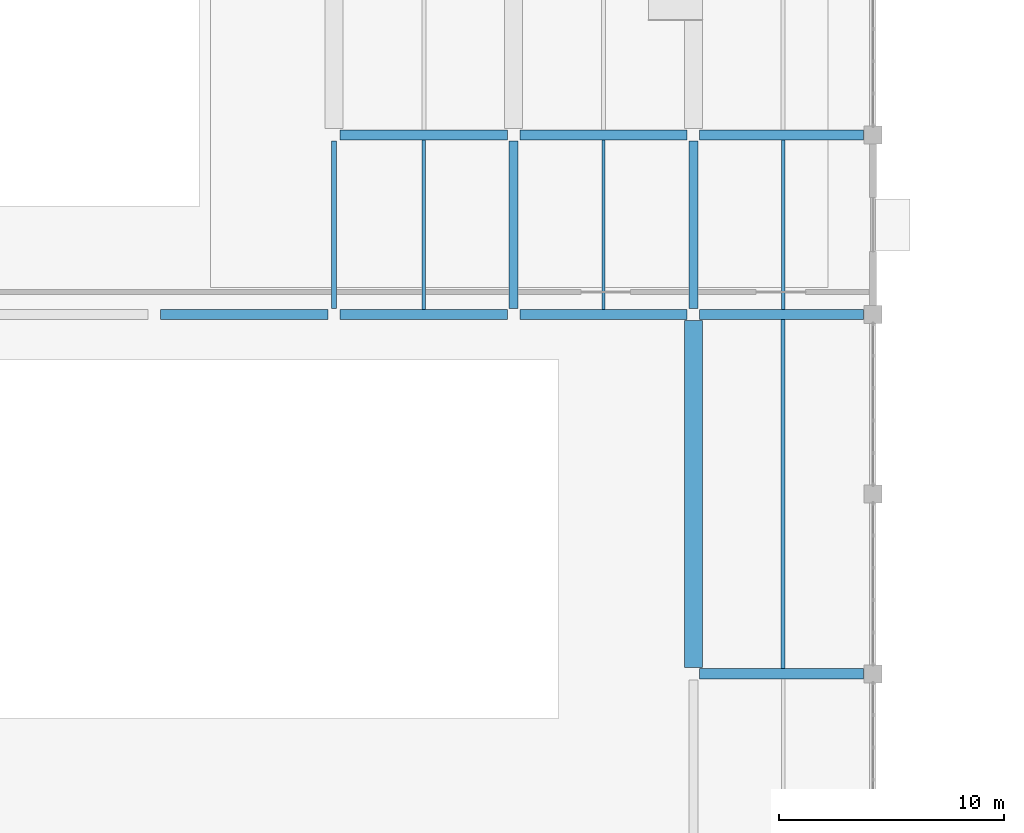
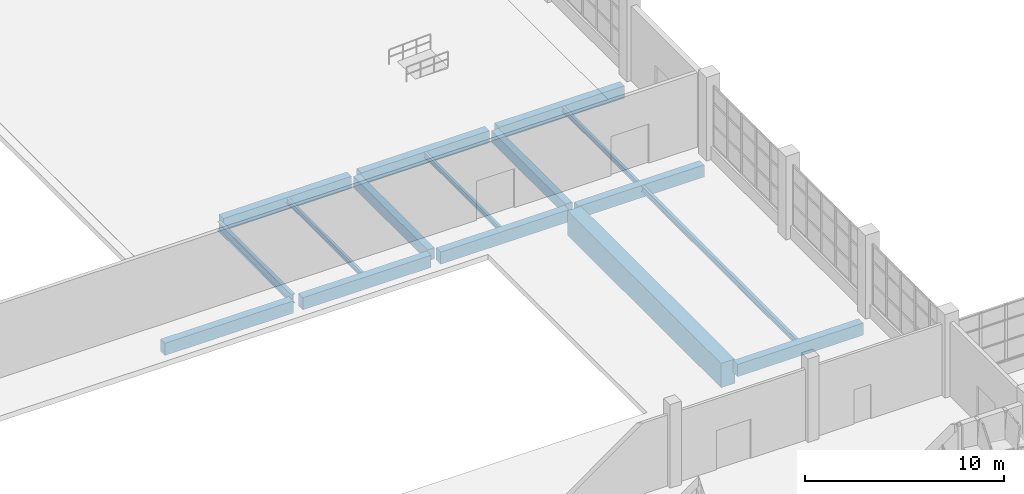
# One storey, part 23 of 103: 16 beams.
"""IFC4 building model written with IfcOpenShell, lengths in metres."""

from ifc_helpers import new_model, si_unit, direction, frame, origin, origin_2d, place, context, subcontext, project, spatial, rectangle, i_section, extrude, material, material_profile, profile_set, type_object, element, save


model = new_model("IFC4")

# Units and contexts
model_context = context("Model", 3, precision=1e-05, world=origin(), true_north=direction((0.0, 1.0)))
body_context = subcontext(model_context, "Body", "Model", "MODEL_VIEW")
ifc_project = project(units=[si_unit("LENGTHUNIT", "METRE"), si_unit("AREAUNIT", "SQUARE_METRE"), si_unit("VOLUMEUNIT", "CUBIC_METRE"), si_unit("PLANEANGLEUNIT", "RADIAN"), si_unit("MASSUNIT", "GRAM", prefix="KILO")], contexts=[model_context])

# Site, building, storey
site_placement = place(None, origin())
site = spatial("IfcSite", under=ifc_project, at=site_placement, CompositionType="ELEMENT")
building_placement = place(site_placement, origin())
building = spatial("IfcBuilding", under=site, at=building_placement, Name="Drelvana Railside Aquatics Centre", CompositionType="ELEMENT")
storey_placement = place(building_placement, origin())
storey = spatial("IfcBuildingStorey", under=building, at=storey_placement, Name="L00", CompositionType="ELEMENT", Elevation=0.0)

# Beams
ifc_material_1 = material(Name="Concrete C40/50", Category="concrete")
ifc_material_profile_1 = material_profile(ifc_material_1, rectangle(XDim=0.39990234375, YDim=0.699951171875, at=origin_2d()), Name="RC 400x700")
ifc_profile_set_1 = profile_set([ifc_material_profile_1], Name="Concrete C40/50")
beam_type_1 = type_object("IfcBeamType", Name="STR-BM-BM-03-RC-400x700", PredefinedType="BEAM", material=ifc_profile_set_1)
for number, where, z_axis, x_axis, name in (
    (1, (80.0, 48.27490234375, -0.679931640625), (0.0, 1.0, 0.0), (-1.0, 0.0, 0.0), "Girder BM-03 (L00)"),
    (2, (88.0, 48.27490234375, -0.679931640625), (0.0, 1.0, 0.0), (-1.0, 0.0, 0.0), "Girder BM-03 (L00)"),
):
    element("IfcBeam", number, at=place(storey_placement, frame(where, z_axis=z_axis, x_axis=x_axis)), inside=storey, type_object=beam_type_1, Name=name, PredefinedType="BEAM", context=body_context, shape_type="SweptSolid", body=[
        extrude(rectangle(XDim=0.39990234375, YDim=0.699951171875, at=origin_2d()), origin(), (0.0, 0.0, 1.0), 7.4501953125),
    ])
ifc_material_profile_2 = material_profile(ifc_material_1, rectangle(XDim=0.449951171875, YDim=0.75, at=origin_2d()), Name="RC 450x750")
ifc_profile_set_2 = profile_set([ifc_material_profile_2], Name="Concrete C40/50")
beam_type_2 = type_object("IfcBeamType", Name="STR-BM-BM-04-RC-450x750", PredefinedType="BEAM", material=ifc_profile_set_2)
beam_1_placement = place(storey_placement, frame((88.27490234375, 32.0, -0.705078125), z_axis=(1.0, 0.0, 0.0), x_axis=(0.0, 1.0, 0.0)))
element("IfcBeam", 3, at=beam_1_placement, inside=storey, type_object=beam_type_2, Name="Girder BM-04 (L00)", PredefinedType="BEAM", context=body_context, shape_type="SweptSolid", body=[
    extrude(rectangle(XDim=0.449951171875, YDim=0.75, at=origin_2d()), origin(), (0.0, 0.0, 1.0), 7.300048828125),
])
for number, where, z_axis, x_axis, name in (
    (4, (64.27490234375, 48.0, -0.705078125), (1.0, 0.0, 0.0), (0.0, 1.0, 0.0), "Girder BM-04 (L00)"),
    (5, (72.27490234375, 48.0, -0.705078125), (1.0, 0.0, 0.0), (0.0, 1.0, 0.0), "Girder BM-04 (L00)"),
    (6, (80.27490234375, 48.0, -0.705078125), (1.0, 0.0, 0.0), (0.0, 1.0, 0.0), "Girder BM-04 (L00)"),
):
    element("IfcBeam", number, at=place(storey_placement, frame(where, z_axis=z_axis, x_axis=x_axis)), inside=storey, type_object=beam_type_2, Name=name, PredefinedType="BEAM", context=body_context, shape_type="SweptSolid", body=[
        extrude(rectangle(XDim=0.449951171875, YDim=0.75, at=origin_2d()), origin(), (0.0, 0.0, 1.0), 7.4501953125),
    ])
beam_2_placement = place(storey_placement, frame((88.27490234375, 48.0, -0.705078125), z_axis=(1.0, 0.0, 0.0), x_axis=(0.0, 1.0, 0.0)))
element("IfcBeam", 7, at=beam_2_placement, inside=storey, type_object=beam_type_2, Name="Girder BM-04 (L00)", PredefinedType="BEAM", context=body_context, shape_type="SweptSolid", body=[
    extrude(rectangle(XDim=0.449951171875, YDim=0.75, at=origin_2d()), origin(), (0.0, 0.0, 1.0), 7.300048828125),
])
for number, where, z_axis, x_axis, name in (
    (8, (72.27490234375, 56.0, -0.705078125), (1.0, 0.0, 0.0), (0.0, 1.0, 0.0), "Girder BM-04 (L00)"),
    (9, (80.27490234375, 56.0, -0.705078125), (1.0, 0.0, 0.0), (0.0, 1.0, 0.0), "Girder BM-04 (L00)"),
):
    element("IfcBeam", number, at=place(storey_placement, frame(where, z_axis=z_axis, x_axis=x_axis)), inside=storey, type_object=beam_type_2, Name=name, PredefinedType="BEAM", context=body_context, shape_type="SweptSolid", body=[
        extrude(rectangle(XDim=0.449951171875, YDim=0.75, at=origin_2d()), origin(), (0.0, 0.0, 1.0), 7.4501953125),
    ])
beam_3_placement = place(storey_placement, frame((88.27490234375, 56.0, -0.705078125), z_axis=(1.0, 0.0, 0.0), x_axis=(0.0, 1.0, 0.0)))
element("IfcBeam", 10, at=beam_3_placement, inside=storey, type_object=beam_type_2, Name="Girder BM-04 (L00)", PredefinedType="BEAM", context=body_context, shape_type="SweptSolid", body=[
    extrude(rectangle(XDim=0.449951171875, YDim=0.75, at=origin_2d()), origin(), (0.0, 0.0, 1.0), 7.300048828125),
])
ifc_material_profile_3 = material_profile(ifc_material_1, rectangle(XDim=0.800048828125, YDim=1.5, at=origin_2d()), Name="RC 800x1500")
ifc_profile_set_3 = profile_set([ifc_material_profile_3], Name="Concrete C40/50")
beam_type_3 = type_object("IfcBeamType", Name="STR-BM-TG-03-RC-800x1500", PredefinedType="BEAM", material=ifc_profile_set_3)
beam_4_placement = place(storey_placement, frame((88.0, 32.27490234375, -1.080078125), z_axis=(0.0, 1.0, 0.0), x_axis=(-1.0, 0.0, 0.0)))
element("IfcBeam", 11, at=beam_4_placement, inside=storey, type_object=beam_type_3, Name="Girder TG-03 (L00)", PredefinedType="BEAM", context=body_context, shape_type="SweptSolid", body=[
    extrude(rectangle(XDim=0.800048828125, YDim=1.5, at=origin_2d()), origin(), (0.0, 0.0, 1.0), 15.4501953125),
])
ifc_material_2 = material(Name="Structural steel S355", Category="steel")
ifc_material_profile_4 = material_profile(ifc_material_2, i_section(OverallWidth=0.2099609375, OverallDepth=0.550048828125, WebThickness=0.010986328125, FlangeThickness=0.01708984375, at=origin_2d()), Name="IPE 550")
ifc_profile_set_4 = profile_set([ifc_material_profile_4], Name="Structural steel S355")
beam_type_4 = type_object("IfcBeamType", Name="STR-SBM-SB-04-IPE-550", PredefinedType="SPANDREL", material=ifc_profile_set_4)
beam_5_placement = place(storey_placement, frame((72.0, 48.27490234375, -0.60498046875), z_axis=(0.0, 1.0, 0.0), x_axis=(-1.0, 0.0, 0.0)))
element("IfcBeam", 12, at=beam_5_placement, inside=storey, type_object=beam_type_4, Name="Girder SB-04 (L00)", PredefinedType="SPANDREL", context=body_context, shape_type="SweptSolid", body=[
    extrude(i_section(OverallWidth=0.2099609375, OverallDepth=0.550048828125, WebThickness=0.010986328125, FlangeThickness=0.01708984375, at=origin_2d()), origin(), (0.0, 0.0, 1.0), 7.4501953125),
])
ifc_material_profile_5 = material_profile(ifc_material_2, i_section(OverallWidth=0.14990234375, OverallDepth=0.300048828125, WebThickness=0.007080078125, FlangeThickness=0.0107421875, at=origin_2d()), Name="IPE 300")
ifc_profile_set_5 = profile_set([ifc_material_profile_5], Name="Structural steel S355")
beam_type_5 = type_object("IfcBeamType", Name="STR-SBM-SJ-03-IPE-300", PredefinedType="JOIST", material=ifc_profile_set_5)
for number, where, z_axis, x_axis, name in (
    (13, (76.0, 48.22509765625, -0.47998046875), (0.0, 1.0, 0.0), (-1.0, 0.0, 0.0), "Secondary floor joist SJ-03 (L00)"),
    (14, (84.0, 48.22509765625, -0.47998046875), (0.0, 1.0, 0.0), (-1.0, 0.0, 0.0), "Secondary floor joist SJ-03 (L00)"),
    (15, (92.0, 48.22509765625, -0.47998046875), (0.0, 1.0, 0.0), (-1.0, 0.0, 0.0), "Secondary floor joist SJ-03 (L00)"),
):
    element("IfcBeam", number, at=place(storey_placement, frame(where, z_axis=z_axis, x_axis=x_axis)), inside=storey, type_object=beam_type_5, Name=name, PredefinedType="JOIST", context=body_context, shape_type="SweptSolid", body=[
        extrude(i_section(OverallWidth=0.14990234375, OverallDepth=0.300048828125, WebThickness=0.007080078125, FlangeThickness=0.0107421875, at=origin_2d()), origin(), (0.0, 0.0, 1.0), 7.5498046875),
    ])
ifc_material_profile_6 = material_profile(ifc_material_2, i_section(OverallWidth=0.169921875, OverallDepth=0.360107421875, WebThickness=0.008056640625, FlangeThickness=0.0126953125, at=origin_2d()), Name="IPE 360")
ifc_profile_set_6 = profile_set([ifc_material_profile_6], Name="Structural steel S355")
beam_type_6 = type_object("IfcBeamType", Name="STR-SBM-SJ-05-IPE-360", PredefinedType="JOIST", material=ifc_profile_set_6)
beam_6_placement = place(storey_placement, frame((92.0, 32.22509765625, -0.510009765625), z_axis=(0.0, 1.0, 0.0), x_axis=(-1.0, 0.0, 0.0)))
element("IfcBeam", 16, at=beam_6_placement, inside=storey, type_object=beam_type_6, Name="Secondary floor joist SJ-05 (L00)", PredefinedType="JOIST", context=body_context, shape_type="SweptSolid", body=[
    extrude(i_section(OverallWidth=0.169921875, OverallDepth=0.360107421875, WebThickness=0.008056640625, FlangeThickness=0.0126953125, at=origin_2d()), origin(), (0.0, 0.0, 1.0), 15.5498046875),
])

save(model, "model.ifc")
